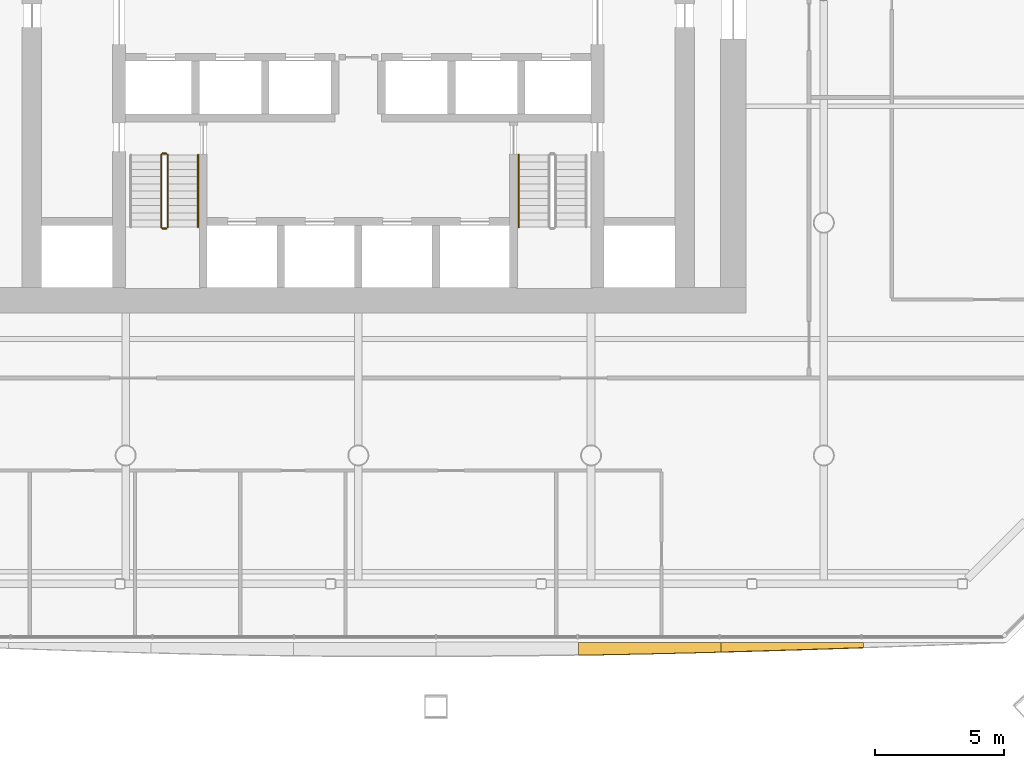
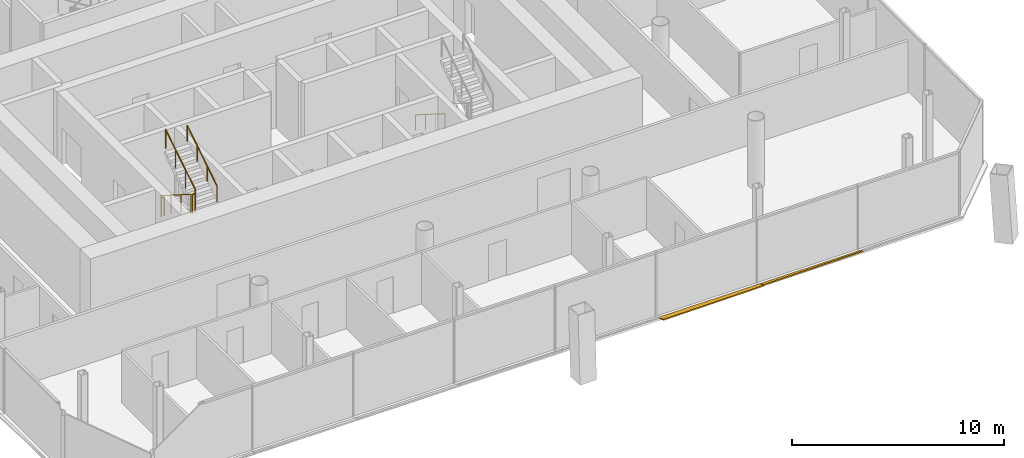
# One storey, part 16 of 19: 6 railings, 2 shading devices.
"""IFC4 building model written with IfcOpenShell, lengths in metres."""

from ifc_helpers import new_model, si_unit, direction, frame, origin, origin_2d, place, context, subcontext, project, spatial, polyline, circle, outline, extrude, material, layer, layer_set, type_object, element, save


model = new_model("IFC4")

# Units and contexts
model_context = context("Model", 3, precision=1e-05, world=origin(), true_north=direction((0.0, 1.0)))
body_context = subcontext(model_context, "Body", "Model", "MODEL_VIEW")
ifc_project = project(units=[si_unit("LENGTHUNIT", "METRE"), si_unit("AREAUNIT", "SQUARE_METRE"), si_unit("VOLUMEUNIT", "CUBIC_METRE"), si_unit("PLANEANGLEUNIT", "RADIAN"), si_unit("MASSUNIT", "GRAM", prefix="KILO")], contexts=[model_context])

# Site, building, storey
site_placement = place(None, origin())
site = spatial("IfcSite", under=ifc_project, at=site_placement, CompositionType="ELEMENT")
building_placement = place(site_placement, origin())
building = spatial("IfcBuilding", under=site, at=building_placement, Name="Tskaro Facet Tower", CompositionType="ELEMENT")
storey_placement = place(building_placement, frame((0.0, 0.0, 81.60009765625)))
storey = spatial("IfcBuildingStorey", under=building, at=storey_placement, Name="L19", CompositionType="ELEMENT", Elevation=81.60009765625)

# Shading devices
ifc_material_1 = material(Name="Bronze anodised aluminium 6063-T6", Category="aluminium")
ifc_layer = layer(ifc_material_1, 0.06005859375, Name="Bronze anodised aluminium 6063-T6")
ifc_layer_set = layer_set([ifc_layer], Name="Bronze anodised aluminium 6063-T6")
shading_device_type = type_object("IfcShadingDeviceType", Name="Bronze sun blade (FN1)", PredefinedType="USERDEFINED", material=ifc_layer_set)
shading_device_1_placement = place(storey_placement, frame((8.5107421875, -25.240478515625, 0.056396484375), z_axis=(8.600648e-06, 0.341877436476, 0.939744549521), x_axis=(0.999999999963, -2.940368e-06, -8.082412e-06)))
element("IfcShadingDevice", 1, at=shading_device_1_placement, inside=storey, type_object=shading_device_type, Name="Fin blade south 6", ObjectType="FIN", PredefinedType="USERDEFINED", context=body_context, shape_type="SweptSolid", body=[
    extrude(outline(polyline([(0.0, 0.0), (5.510742187296183, 0.0), (5.510742188131285, -0.3873185287999604), (4.822021484158149, -0.4063204923992698), (4.133056640097542, -0.42478013018422367), (3.4443359377369624, -0.44215511634046645), (2.755371093853185, -0.4585289170390158), (2.0666503904140545, -0.4741309621015407), (1.377685546707107, -0.48841892571368556), (0.688964843444806, -0.5019351336898059), (-8.531118858741924e-11, -0.5141372602155464), (0.0, 0.0)])), origin(), (0.0, 0.0, -1.0), 0.06005859375),
])
shading_device_2_placement = place(storey_placement, frame((14.021484375, -25.235595703125, 0.05419921875), z_axis=(-4.835189e-06, 0.422577595602, 0.906326748845), x_axis=(0.999999999988, 2.043243e-06, 4.382261e-06)))
element("IfcShadingDevice", 2, at=shading_device_2_placement, inside=storey, type_object=shading_device_type, Name="Fin blade south 7", ObjectType="FIN", PredefinedType="USERDEFINED", context=body_context, shape_type="SweptSolid", body=[
    extrude(outline(polyline([(0.0, 0.0), (5.510742187435582, 0.0), (5.510742187432986, -0.2154987407826715), (4.822021484500287, -0.2408376393664426), (4.133056640371542, -0.2658520984129914), (3.444335937294422, -0.2900995755644783), (2.7553710945899814, -0.31390451035812544), (2.066650390298551, -0.33695739771902583), (1.377685546878639, -0.35934647154316657), (0.6889648434404639, -0.380865395113943), (-1.960808514610068e-10, -0.4016173367896575), (0.0, 0.0)])), origin(), (0.0, 0.0, -1.0), 0.06005859375),
])

# Railings
ifc_material_2 = material(Name="Stainless steel", Category="steel")
railing_type_1 = type_object("IfcRailingType", Name="RL-GUARD-1100", PredefinedType="GUARDRAIL", material=ifc_material_2)
railing_1_placement = place(storey_placement, frame((-7.625, -6.375, 0.17724609375)))
element("IfcRailing", 3, at=railing_1_placement, inside=storey, type_object=railing_type_1, Name="L19 ST-1 stair guard 1", PredefinedType="GUARDRAIL", context=body_context, shape_type="SweptSolid", body=[
    extrude(circle(Radius=0.02392578125, at=origin_2d()), frame((0.0, 0.0, 1.076171875), z_axis=(0.0, -0.844908973607, 0.534910110503), x_axis=(1.0, 0.0, 0.0)), (0.0, 0.0, 1.0), 3.31396484375),
    extrude(circle(Radius=0.02099609375, at=origin_2d()), origin(), (0.0, 0.0, 1.0), 1.052001953125),
    extrude(circle(Radius=0.02099609375, at=origin_2d()), frame((0.0, -0.933349609375, 0.5908203125)), (0.0, 0.0, 1.0), 1.052001953125),
    extrude(circle(Radius=0.02099609375, at=origin_2d()), frame((0.0, -1.86669921875, 1.181884765625)), (0.0, 0.0, 1.0), 1.052001953125),
    extrude(circle(Radius=0.02099609375, at=origin_2d()), frame((0.0, -2.800048828125, 1.772705078125)), (0.0, 0.0, 1.0), 1.052001953125),
])
railing_2_placement = place(storey_placement, frame((-7.574951171875, -9.22509765625, 1.949951171875)))
element("IfcRailing", 4, at=railing_2_placement, inside=storey, type_object=railing_type_1, Name="L19 ST-1 stair guard 2", PredefinedType="GUARDRAIL", context=body_context, shape_type="SweptSolid", body=[
    extrude(circle(Radius=0.02392578125, at=origin_2d()), frame((0.0, 0.0, 1.076171875), z_axis=(1.0, 0.0, 0.0), x_axis=(0.0, 1.0, 0.0)), (0.0, 0.0, 1.0), 0.14990234375),
    extrude(circle(Radius=0.02099609375, at=origin_2d()), origin(), (0.0, 0.0, 1.0), 1.052001953125),
    extrude(circle(Radius=0.02099609375, at=origin_2d()), frame((0.14990234375, 0.0, 0.0)), (0.0, 0.0, 1.0), 1.052001953125),
])
railing_3_placement = place(storey_placement, frame((-7.375, -9.175048828125, 2.127197265625)))
element("IfcRailing", 5, at=railing_3_placement, inside=storey, type_object=railing_type_1, Name="L19 ST-1 stair guard 3", PredefinedType="GUARDRAIL", context=body_context, shape_type="SweptSolid", body=[
    extrude(circle(Radius=0.02392578125, at=origin_2d()), frame((0.0, 0.0, 1.076171875), z_axis=(0.0, 0.844908973607, 0.534910110503), x_axis=(-1.0, 0.0, 0.0)), (0.0, 0.0, 1.0), 3.31396484375),
    extrude(circle(Radius=0.02099609375, at=origin_2d()), origin(), (0.0, 0.0, 1.0), 1.052001953125),
    extrude(circle(Radius=0.02099609375, at=origin_2d()), frame((0.0, 0.933349609375, 0.5908203125)), (0.0, 0.0, 1.0), 1.052001953125),
    extrude(circle(Radius=0.02099609375, at=origin_2d()), frame((0.0, 1.86669921875, 1.181884765625)), (0.0, 0.0, 1.0), 1.052001953125),
    extrude(circle(Radius=0.02099609375, at=origin_2d()), frame((0.0, 2.800048828125, 1.772705078125)), (0.0, 0.0, 1.0), 1.052001953125),
])
railing_4_placement = place(storey_placement, frame((-7.574951171875, -6.324951171875, 0.0)))
element("IfcRailing", 6, at=railing_4_placement, inside=storey, type_object=railing_type_1, Name="L19 ST-1 stair guard 4", PredefinedType="GUARDRAIL", context=body_context, shape_type="SweptSolid", body=[
    extrude(circle(Radius=0.02392578125, at=origin_2d()), frame((0.0, 0.0, 1.076171875), z_axis=(1.0, 0.0, 0.0), x_axis=(0.0, 1.0, 0.0)), (0.0, 0.0, 1.0), 0.14990234375),
    extrude(circle(Radius=0.02099609375, at=origin_2d()), origin(), (0.0, 0.0, 1.0), 1.052001953125),
    extrude(circle(Radius=0.02099609375, at=origin_2d()), frame((0.14990234375, 0.0, 0.0)), (0.0, 0.0, 1.0), 1.052001953125),
])
railing_type_2 = type_object("IfcRailingType", Name="RL-HANDRAIL-900", PredefinedType="HANDRAIL", material=ifc_material_2)
railing_5_placement = place(storey_placement, frame((-6.199951171875, -9.175048828125, 2.127197265625)))
element("IfcRailing", 7, at=railing_5_placement, inside=storey, type_object=railing_type_2, Name="L19 ST-1 stair handrail 2", PredefinedType="HANDRAIL", context=body_context, shape_type="SweptSolid", body=[
    extrude(circle(Radius=0.02392578125, at=origin_2d()), frame((0.0, 0.0, 0.8759765625), z_axis=(0.0, 0.844908973607, 0.534910110503), x_axis=(-1.0, 0.0, 0.0)), (0.0, 0.0, 1.0), 3.31396484375),
    extrude(circle(Radius=0.02099609375, at=origin_2d()), origin(), (0.0, 0.0, 1.0), 0.851806640625),
    extrude(circle(Radius=0.02099609375, at=origin_2d()), frame((0.0, 0.933349609375, 0.5908203125)), (0.0, 0.0, 1.0), 0.851806640625),
    extrude(circle(Radius=0.02099609375, at=origin_2d()), frame((0.0, 1.86669921875, 1.181884765625)), (0.0, 0.0, 1.0), 0.851806640625),
    extrude(circle(Radius=0.02099609375, at=origin_2d()), frame((0.0, 2.800048828125, 1.772705078125)), (0.0, 0.0, 1.0), 0.851806640625),
])
railing_6_placement = place(storey_placement, frame((6.199951171875, -6.375, 0.17724609375)))
element("IfcRailing", 8, at=railing_6_placement, inside=storey, type_object=railing_type_2, Name="L19 ST-2 stair handrail 1", PredefinedType="HANDRAIL", context=body_context, shape_type="SweptSolid", body=[
    extrude(circle(Radius=0.02392578125, at=origin_2d()), frame((0.0, 0.0, 0.8759765625), z_axis=(0.0, -0.844908973607, 0.534910110503), x_axis=(1.0, 0.0, 0.0)), (0.0, 0.0, 1.0), 3.31396484375),
    extrude(circle(Radius=0.02099609375, at=origin_2d()), origin(), (0.0, 0.0, 1.0), 0.851806640625),
    extrude(circle(Radius=0.02099609375, at=origin_2d()), frame((0.0, -0.933349609375, 0.5908203125)), (0.0, 0.0, 1.0), 0.851806640625),
    extrude(circle(Radius=0.02099609375, at=origin_2d()), frame((0.0, -1.86669921875, 1.181884765625)), (0.0, 0.0, 1.0), 0.851806640625),
    extrude(circle(Radius=0.02099609375, at=origin_2d()), frame((0.0, -2.800048828125, 1.772705078125)), (0.0, 0.0, 1.0), 0.851806640625),
])

save(model, "model.ifc")
